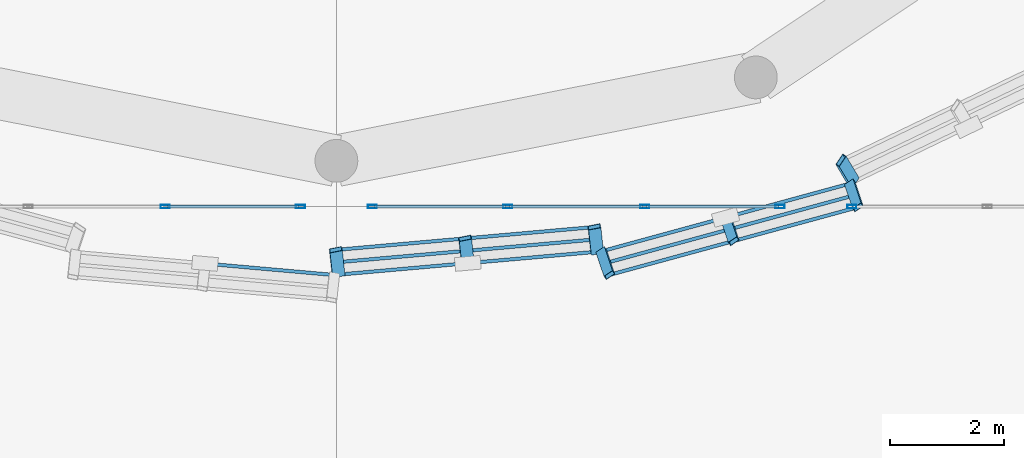
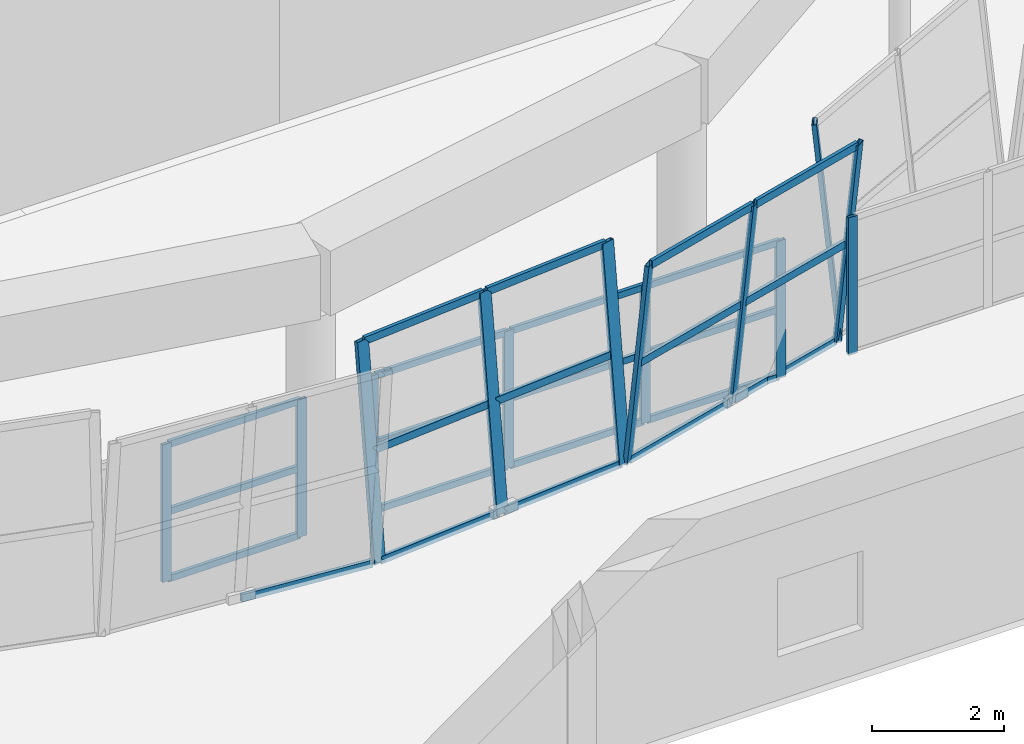
# One storey, part 12 of 40: 39 members, 7 elements without a shape of their own.
"""IFC4 building model written with IfcOpenShell, lengths in metres."""

from ifc_helpers import new_model, si_unit, direction, frame, origin, origin_2d, place, context, subcontext, project, spatial, hollow_rectangle, extrude, material, material_profile, profile_set, type_object, element, aggregate, save


model = new_model("IFC4")

# Units and contexts
model_context = context("Model", 3, precision=1e-05, world=origin(), true_north=direction((0.0, 1.0)))
body_context = subcontext(model_context, "Body", "Model", "MODEL_VIEW")
ifc_project = project(units=[si_unit("LENGTHUNIT", "METRE"), si_unit("AREAUNIT", "SQUARE_METRE"), si_unit("VOLUMEUNIT", "CUBIC_METRE"), si_unit("PLANEANGLEUNIT", "RADIAN"), si_unit("MASSUNIT", "GRAM", prefix="KILO")], contexts=[model_context])

# Site, building, storey
site_placement = place(None, origin())
site = spatial("IfcSite", under=ifc_project, at=site_placement, CompositionType="ELEMENT")
building_placement = place(site_placement, origin())
building = spatial("IfcBuilding", under=site, at=building_placement, Name="Korsvaeld Concert Hall", CompositionType="ELEMENT")
storey_placement = place(building_placement, frame((0.0, 0.0, 13.199951171875)))
storey = spatial("IfcBuildingStorey", under=building, at=storey_placement, Name="L03", CompositionType="ELEMENT", Elevation=13.199951171875)

# Curtain wall, members
ifc_material_1 = material(Name="Anodised bronze and ceramic-fritted safety glass", Category="glass")
curtain_wall_type_1 = type_object("IfcCurtainWallType", Name="CW-TYPE-15", PredefinedType="USERDEFINED", material=ifc_material_1)
curtain_wall_1_placement = place(storey_placement, origin())
curtain_wall_1 = element("IfcCurtainWall", 1, at=curtain_wall_1_placement, inside=storey, type_object=curtain_wall_type_1, Name="Glazed foyer acoustic screen L03-39", ObjectType="CURTAIN WALL", PredefinedType="USERDEFINED")
ifc_material_2 = material(Name="Anodised architectural bronze aluminium", Category="aluminium")
ifc_material_profile_1 = material_profile(ifc_material_2, hollow_rectangle(XDim=0.06005859375, YDim=0.159912109375, WallThickness=0.00390625, at=origin_2d()), Name="CWM 160x60x4")
ifc_profile_set_1 = profile_set([ifc_material_profile_1], Name="Anodised architectural bronze aluminium")
member_type_1 = type_object("IfcMemberType", Name="CWM-ALUM-160x60", PredefinedType="MULLION", material=ifc_profile_set_1)
member_1_placement = place(storey_placement, frame((81.0, 43.199951171875, 0.0), z_axis=(0.0, 0.0, 1.0), x_axis=(0.0, 1.0, 0.0)))
member_1 = element("IfcMember", 2, at=member_1_placement, type_object=member_type_1, Name="CW-15 mullion 3", PredefinedType="MULLION", context=body_context, shape_type="SweptSolid", body=[
    extrude(hollow_rectangle(XDim=0.06005859375, YDim=0.159912109375, WallThickness=0.00390625, at=origin_2d()), origin(), (0.0, 0.0, 1.0), 2.550048828125),
])
member_2_placement = place(storey_placement, frame((83.3701171875, 43.199951171875, 0.0), z_axis=(0.0, 0.0, 1.0), x_axis=(0.0, 1.0, 0.0)))
member_2 = element("IfcMember", 3, at=member_2_placement, type_object=member_type_1, Name="CW-15 mullion 4", PredefinedType="MULLION", context=body_context, shape_type="SweptSolid", body=[
    extrude(hollow_rectangle(XDim=0.06005859375, YDim=0.159912109375, WallThickness=0.00390625, at=origin_2d()), origin(), (0.0, 0.0, 1.0), 2.550048828125),
])

curtain_wall_type_2 = type_object("IfcCurtainWallType", Name="CW-TYPE-08", PredefinedType="USERDEFINED", material=ifc_material_1)
curtain_wall_2_placement = place(storey_placement, origin())
curtain_wall_2 = element("IfcCurtainWall", 4, at=curtain_wall_2_placement, inside=storey, type_object=curtain_wall_type_2, Name="Glazed foyer acoustic screen L03-40", ObjectType="CURTAIN WALL", PredefinedType="USERDEFINED")
member_3_placement = place(storey_placement, frame((84.6298828125, 43.199951171875, 0.0), z_axis=(0.0, 0.0, 1.0), x_axis=(0.0, 1.0, 0.0)))
member_3 = element("IfcMember", 5, at=member_3_placement, type_object=member_type_1, Name="CW-08 mullion 1", PredefinedType="MULLION", context=body_context, shape_type="SweptSolid", body=[
    extrude(hollow_rectangle(XDim=0.06005859375, YDim=0.159912109375, WallThickness=0.00390625, at=origin_2d()), origin(), (0.0, 0.0, 1.0), 2.550048828125),
])
member_4_placement = place(storey_placement, frame((87.0, 43.199951171875, 0.0), z_axis=(0.0, 0.0, 1.0), x_axis=(0.0, 1.0, 0.0)))
member_4 = element("IfcMember", 6, at=member_4_placement, type_object=member_type_1, Name="CW-08 mullion 2", PredefinedType="MULLION", context=body_context, shape_type="SweptSolid", body=[
    extrude(hollow_rectangle(XDim=0.06005859375, YDim=0.159912109375, WallThickness=0.00390625, at=origin_2d()), origin(), (0.0, 0.0, 1.0), 2.550048828125),
])
member_5_placement = place(storey_placement, frame((89.39990234375, 43.199951171875, 0.0), z_axis=(0.0, 0.0, 1.0), x_axis=(0.0, 1.0, 0.0)))
member_5 = element("IfcMember", 7, at=member_5_placement, type_object=member_type_1, Name="CW-08 mullion 3", PredefinedType="MULLION", context=body_context, shape_type="SweptSolid", body=[
    extrude(hollow_rectangle(XDim=0.06005859375, YDim=0.159912109375, WallThickness=0.00390625, at=origin_2d()), origin(), (0.0, 0.0, 1.0), 2.550048828125),
])
member_6_placement = place(storey_placement, frame((91.77001953125, 43.199951171875, 0.0), z_axis=(0.0, 0.0, 1.0), x_axis=(0.0, 1.0, 0.0)))
member_6 = element("IfcMember", 8, at=member_6_placement, type_object=member_type_1, Name="CW-08 mullion 4", PredefinedType="MULLION", context=body_context, shape_type="SweptSolid", body=[
    extrude(hollow_rectangle(XDim=0.06005859375, YDim=0.159912109375, WallThickness=0.00390625, at=origin_2d()), origin(), (0.0, 0.0, 1.0), 2.550048828125),
])

# Curtain wall, member
curtain_wall_type_3 = type_object("IfcCurtainWallType", Name="CW-TYPE-09", PredefinedType="USERDEFINED", material=ifc_material_1)
curtain_wall_3_placement = place(storey_placement, origin())
curtain_wall_3 = element("IfcCurtainWall", 9, at=curtain_wall_3_placement, inside=storey, type_object=curtain_wall_type_3, Name="Glazed foyer acoustic screen L03-41", ObjectType="CURTAIN WALL", PredefinedType="USERDEFINED")
member_7_placement = place(storey_placement, frame((93.030029296875, 43.199951171875, 0.0), z_axis=(0.0, 0.0, 1.0), x_axis=(0.0, 1.0, 0.0)))
member_7 = element("IfcMember", 10, at=member_7_placement, type_object=member_type_1, Name="CW-09 mullion 1", PredefinedType="MULLION", context=body_context, shape_type="SweptSolid", body=[
    extrude(hollow_rectangle(XDim=0.06005859375, YDim=0.159912109375, WallThickness=0.00390625, at=origin_2d()), origin(), (0.0, 0.0, 1.0), 2.550048828125),
])
aggregate(curtain_wall_3, [member_7])

# Curtain wall, members
curtain_wall_type_4 = type_object("IfcCurtainWallType", Name="CW-TYPE-02", PredefinedType="USERDEFINED", material=ifc_material_1)
curtain_wall_4_placement = place(storey_placement, origin())
curtain_wall_4 = element("IfcCurtainWall", 11, at=curtain_wall_4_placement, inside=storey, type_object=curtain_wall_type_4, Name="Crystal curtain-wall facet L03 F26", ObjectType="CURTAIN WALL", PredefinedType="USERDEFINED")
ifc_material_profile_2 = material_profile(ifc_material_2, hollow_rectangle(XDim=0.074951171875, YDim=0.179931640625, WallThickness=0.0048828125, at=origin_2d()), Name="CWM 180x75x5")
ifc_profile_set_2 = profile_set([ifc_material_profile_2], Name="Anodised architectural bronze aluminium")
member_type_2 = type_object("IfcMemberType", Name="CWM-BRONZE-180x75", PredefinedType="MULLION", material=ifc_profile_set_2)
member_8_placement = place(storey_placement, frame((88.640380859375, 42.417236328125, 0.0), z_axis=(0.036197122149, -0.107216000838, 0.993576618843), x_axis=(-0.55573398258, 0.824159803474, 0.10918039633)))
member_8 = element("IfcMember", 12, at=member_8_placement, type_object=member_type_2, Name="CW-CRYS-L03-F26 crystal mullion 1", PredefinedType="MULLION", context=body_context, shape_type="SweptSolid", body=[
    extrude(hollow_rectangle(XDim=0.074951171875, YDim=0.179931640625, WallThickness=0.0048828125, at=origin_2d()), origin(), (0.0, 0.0, 1.0), 3.9052734375),
])
member_9_placement = place(storey_placement, frame((90.817626953125, 43.010498046875, 0.0), z_axis=(0.036259556644, -0.107215758008, 0.993574368523), x_axis=(-0.556164524447, 0.823866797591, 0.109199457752)))
member_9 = element("IfcMember", 13, at=member_9_placement, type_object=member_type_2, Name="CW-CRYS-L03-F26 crystal mullion 2", PredefinedType="MULLION", context=body_context, shape_type="SweptSolid", body=[
    extrude(hollow_rectangle(XDim=0.074951171875, YDim=0.179931640625, WallThickness=0.0048828125, at=origin_2d()), origin(), (0.0, 0.0, 1.0), 3.9052734375),
])
member_10_placement = place(storey_placement, frame((92.9951171875, 43.60400390625, 0.0), z_axis=(0.036196879459, -0.10727779819, 0.993569957242), x_axis=(-0.555586354062, 0.824251855726, 0.109236813907)))
member_10 = element("IfcMember", 14, at=member_10_placement, type_object=member_type_2, Name="CW-CRYS-L03-F26 crystal mullion 3", PredefinedType="MULLION", context=body_context, shape_type="SweptSolid", body=[
    extrude(hollow_rectangle(XDim=0.074951171875, YDim=0.179931640625, WallThickness=0.0048828125, at=origin_2d()), origin(), (0.0, 0.0, 1.0), 3.9052734375),
])

curtain_wall_type_5 = type_object("IfcCurtainWallType", Name="CW-TYPE-01", PredefinedType="USERDEFINED", material=ifc_material_1)
curtain_wall_5_placement = place(storey_placement, origin())
curtain_wall_5 = element("IfcCurtainWall", 15, at=curtain_wall_5_placement, inside=storey, type_object=curtain_wall_type_5, Name="Crystal curtain-wall facet L03 F25", ObjectType="CURTAIN WALL", PredefinedType="USERDEFINED")
ifc_material_profile_3 = material_profile(ifc_material_2, hollow_rectangle(XDim=0.074951171875, YDim=0.219970703125, WallThickness=0.006103515625, at=origin_2d()), Name="CWM 220x75x6")
ifc_profile_set_3 = profile_set([ifc_material_profile_3], Name="Anodised architectural bronze aluminium")
member_type_3 = type_object("IfcMemberType", Name="CWM-BRONZE-220x75", PredefinedType="MULLION", material=ifc_profile_set_3)
member_11_placement = place(storey_placement, frame((84.037353515625, 42.00341796875, 0.0), z_axis=(-0.012315804085, 0.112467672842, 0.993579057516), x_axis=(0.195352853532, -0.974236138984, 0.112699636707)))
member_11 = element("IfcMember", 16, at=member_11_placement, type_object=member_type_3, Name="CW-CRYS-L03-F25 crystal mullion 1", PredefinedType="MULLION", context=body_context, shape_type="SweptSolid", body=[
    extrude(hollow_rectangle(XDim=0.074951171875, YDim=0.219970703125, WallThickness=0.006103515625, at=origin_2d()), origin(), (0.0, 0.0, 1.0), 3.9052734375),
])
member_12_placement = place(storey_placement, frame((86.302001953125, 42.20361328125, 0.0), z_axis=(-0.012315717468, 0.112529398189, 0.993572069679), x_axis=(0.195293528918, -0.974240961692, 0.112760747263)))
member_12 = element("IfcMember", 17, at=member_12_placement, type_object=member_type_3, Name="CW-CRYS-L03-F25 crystal mullion 2", PredefinedType="MULLION", context=body_context, shape_type="SweptSolid", body=[
    extrude(hollow_rectangle(XDim=0.074951171875, YDim=0.219970703125, WallThickness=0.006103515625, at=origin_2d()), origin(), (0.0, 0.0, 1.0), 3.9052734375),
])
member_13_placement = place(storey_placement, frame((88.566650390625, 42.404052734375, 0.0), z_axis=(-0.012315717468, 0.112529398189, 0.993572069679), x_axis=(0.195293528918, -0.974240961692, 0.112760747263)))
member_13 = element("IfcMember", 18, at=member_13_placement, type_object=member_type_3, Name="CW-CRYS-L03-F25 crystal mullion 3", PredefinedType="MULLION", context=body_context, shape_type="SweptSolid", body=[
    extrude(hollow_rectangle(XDim=0.074951171875, YDim=0.219970703125, WallThickness=0.006103515625, at=origin_2d()), origin(), (0.0, 0.0, 1.0), 3.9052734375),
])

# Curtain wall, member
curtain_wall_type_6 = type_object("IfcCurtainWallType", Name="CW-TYPE-03", PredefinedType="USERDEFINED", material=ifc_material_1)
curtain_wall_6_placement = place(storey_placement, origin())
curtain_wall_6 = element("IfcCurtainWall", 19, at=curtain_wall_6_placement, inside=storey, type_object=curtain_wall_type_6, Name="Crystal curtain-wall facet L03 F27", ObjectType="CURTAIN WALL", PredefinedType="USERDEFINED")
member_14_placement = place(storey_placement, frame((93.065185546875, 43.630126953125, 0.0), z_axis=(-0.057890146021, 0.097275450549, 0.993572452172), x_axis=(0.829999508119, -0.548349795161, 0.102045669527)))
member_14 = element("IfcMember", 20, at=member_14_placement, type_object=member_type_3, Name="CW-CRYS-L03-F27 crystal mullion 1", PredefinedType="MULLION", context=body_context, shape_type="SweptSolid", body=[
    extrude(hollow_rectangle(XDim=0.074951171875, YDim=0.219970703125, WallThickness=0.006103515625, at=origin_2d()), origin(), (0.0, 0.0, 1.0), 3.9052734375),
])
aggregate(curtain_wall_6, [member_14])

# Member
ifc_material_profile_4 = material_profile(ifc_material_2, hollow_rectangle(XDim=0.06005859375, YDim=0.1201171875, WallThickness=0.00390625, at=origin_2d()), Name="CWT 120x60x4")
ifc_profile_set_4 = profile_set([ifc_material_profile_4], Name="Anodised architectural bronze aluminium")
member_type_4 = type_object("IfcMemberType", Name="CWT-ALUM-120x60", PredefinedType="USERDEFINED", material=ifc_profile_set_4)
member_15_placement = place(storey_placement, frame((81.030029296875, 43.199951171875, 0.030029296875), z_axis=(1.0, 0.0, 0.0), x_axis=(0.0, 1.0, 0.0)))
member_15 = element("IfcMember", 21, at=member_15_placement, type_object=member_type_4, Name="CW-15 transom 3.1", ObjectType="TRANSOM", PredefinedType="USERDEFINED", context=body_context, shape_type="SweptSolid", body=[
    extrude(hollow_rectangle(XDim=0.06005859375, YDim=0.1201171875, WallThickness=0.00390625, at=origin_2d()), origin(), (0.0, 0.0, 1.0), 2.31005859375),
])

member_16_placement = place(storey_placement, frame((81.030029296875, 43.199951171875, 1.275146484375), z_axis=(1.0, 0.0, 0.0), x_axis=(0.0, 1.0, 0.0)))
member_16 = element("IfcMember", 22, at=member_16_placement, type_object=member_type_4, Name="CW-15 transom 3.2", ObjectType="TRANSOM", PredefinedType="USERDEFINED", context=body_context, shape_type="SweptSolid", body=[
    extrude(hollow_rectangle(XDim=0.06005859375, YDim=0.1201171875, WallThickness=0.00390625, at=origin_2d()), origin(), (0.0, 0.0, 1.0), 2.31005859375),
])

member_17_placement = place(storey_placement, frame((81.030029296875, 43.199951171875, 2.52001953125), z_axis=(1.0, 0.0, 0.0), x_axis=(0.0, 1.0, 0.0)))
member_17 = element("IfcMember", 23, at=member_17_placement, type_object=member_type_4, Name="CW-15 transom 3.3", ObjectType="TRANSOM", PredefinedType="USERDEFINED", context=body_context, shape_type="SweptSolid", body=[
    extrude(hollow_rectangle(XDim=0.06005859375, YDim=0.1201171875, WallThickness=0.00390625, at=origin_2d()), origin(), (0.0, 0.0, 1.0), 2.31005859375),
])

aggregate(curtain_wall_1, [member_1, member_2, member_15, member_16, member_17])

member_18_placement = place(storey_placement, frame((84.659912109375, 43.199951171875, 0.030029296875), z_axis=(1.0, 0.0, 0.0), x_axis=(0.0, 1.0, 0.0)))
member_18 = element("IfcMember", 24, at=member_18_placement, type_object=member_type_4, Name="CW-08 transom 1.1", ObjectType="TRANSOM", PredefinedType="USERDEFINED", context=body_context, shape_type="SweptSolid", body=[
    extrude(hollow_rectangle(XDim=0.06005859375, YDim=0.1201171875, WallThickness=0.00390625, at=origin_2d()), origin(), (0.0, 0.0, 1.0), 2.31005859375),
])

member_19_placement = place(storey_placement, frame((84.659912109375, 43.199951171875, 1.275146484375), z_axis=(1.0, 0.0, 0.0), x_axis=(0.0, 1.0, 0.0)))
member_19 = element("IfcMember", 25, at=member_19_placement, type_object=member_type_4, Name="CW-08 transom 1.2", ObjectType="TRANSOM", PredefinedType="USERDEFINED", context=body_context, shape_type="SweptSolid", body=[
    extrude(hollow_rectangle(XDim=0.06005859375, YDim=0.1201171875, WallThickness=0.00390625, at=origin_2d()), origin(), (0.0, 0.0, 1.0), 2.31005859375),
])

member_20_placement = place(storey_placement, frame((84.659912109375, 43.199951171875, 2.52001953125), z_axis=(1.0, 0.0, 0.0), x_axis=(0.0, 1.0, 0.0)))
member_20 = element("IfcMember", 26, at=member_20_placement, type_object=member_type_4, Name="CW-08 transom 1.3", ObjectType="TRANSOM", PredefinedType="USERDEFINED", context=body_context, shape_type="SweptSolid", body=[
    extrude(hollow_rectangle(XDim=0.06005859375, YDim=0.1201171875, WallThickness=0.00390625, at=origin_2d()), origin(), (0.0, 0.0, 1.0), 2.31005859375),
])

member_21_placement = place(storey_placement, frame((87.030029296875, 43.199951171875, 0.030029296875), z_axis=(1.0, 0.0, 0.0), x_axis=(0.0, 1.0, 0.0)))
member_21 = element("IfcMember", 27, at=member_21_placement, type_object=member_type_4, Name="CW-08 transom 2.1", ObjectType="TRANSOM", PredefinedType="USERDEFINED", context=body_context, shape_type="SweptSolid", body=[
    extrude(hollow_rectangle(XDim=0.06005859375, YDim=0.1201171875, WallThickness=0.00390625, at=origin_2d()), origin(), (0.0, 0.0, 1.0), 2.340087890625),
])

member_22_placement = place(storey_placement, frame((87.030029296875, 43.199951171875, 1.275146484375), z_axis=(1.0, 0.0, 0.0), x_axis=(0.0, 1.0, 0.0)))
member_22 = element("IfcMember", 28, at=member_22_placement, type_object=member_type_4, Name="CW-08 transom 2.2", ObjectType="TRANSOM", PredefinedType="USERDEFINED", context=body_context, shape_type="SweptSolid", body=[
    extrude(hollow_rectangle(XDim=0.06005859375, YDim=0.1201171875, WallThickness=0.00390625, at=origin_2d()), origin(), (0.0, 0.0, 1.0), 2.340087890625),
])

member_23_placement = place(storey_placement, frame((87.030029296875, 43.199951171875, 2.52001953125), z_axis=(1.0, 0.0, 0.0), x_axis=(0.0, 1.0, 0.0)))
member_23 = element("IfcMember", 29, at=member_23_placement, type_object=member_type_4, Name="CW-08 transom 2.3", ObjectType="TRANSOM", PredefinedType="USERDEFINED", context=body_context, shape_type="SweptSolid", body=[
    extrude(hollow_rectangle(XDim=0.06005859375, YDim=0.1201171875, WallThickness=0.00390625, at=origin_2d()), origin(), (0.0, 0.0, 1.0), 2.340087890625),
])

member_24_placement = place(storey_placement, frame((89.429931640625, 43.199951171875, 0.030029296875), z_axis=(1.0, 0.0, 0.0), x_axis=(0.0, 1.0, 0.0)))
member_24 = element("IfcMember", 30, at=member_24_placement, type_object=member_type_4, Name="CW-08 transom 3.1", ObjectType="TRANSOM", PredefinedType="USERDEFINED", context=body_context, shape_type="SweptSolid", body=[
    extrude(hollow_rectangle(XDim=0.06005859375, YDim=0.1201171875, WallThickness=0.00390625, at=origin_2d()), origin(), (0.0, 0.0, 1.0), 2.31005859375),
])

member_25_placement = place(storey_placement, frame((89.429931640625, 43.199951171875, 1.275146484375), z_axis=(1.0, 0.0, 0.0), x_axis=(0.0, 1.0, 0.0)))
member_25 = element("IfcMember", 31, at=member_25_placement, type_object=member_type_4, Name="CW-08 transom 3.2", ObjectType="TRANSOM", PredefinedType="USERDEFINED", context=body_context, shape_type="SweptSolid", body=[
    extrude(hollow_rectangle(XDim=0.06005859375, YDim=0.1201171875, WallThickness=0.00390625, at=origin_2d()), origin(), (0.0, 0.0, 1.0), 2.31005859375),
])

member_26_placement = place(storey_placement, frame((89.429931640625, 43.199951171875, 2.52001953125), z_axis=(1.0, 0.0, 0.0), x_axis=(0.0, 1.0, 0.0)))
member_26 = element("IfcMember", 32, at=member_26_placement, type_object=member_type_4, Name="CW-08 transom 3.3", ObjectType="TRANSOM", PredefinedType="USERDEFINED", context=body_context, shape_type="SweptSolid", body=[
    extrude(hollow_rectangle(XDim=0.06005859375, YDim=0.1201171875, WallThickness=0.00390625, at=origin_2d()), origin(), (0.0, 0.0, 1.0), 2.31005859375),
])

aggregate(curtain_wall_2, [member_3, member_4, member_5, member_6, member_18, member_19, member_20, member_21, member_22, member_23, member_24, member_25, member_26])

# Curtain wall, member
curtain_wall_7_placement = place(storey_placement, origin())
curtain_wall_7 = element("IfcCurtainWall", 33, at=curtain_wall_7_placement, inside=storey, type_object=curtain_wall_type_2, Name="Crystal curtain-wall facet L03 F24", ObjectType="CURTAIN WALL", PredefinedType="USERDEFINED")
ifc_material_profile_5 = material_profile(ifc_material_2, hollow_rectangle(XDim=0.06005859375, YDim=0.139892578125, WallThickness=0.00390625, at=origin_2d()), Name="CWT 140x60x4")
ifc_profile_set_5 = profile_set([ifc_material_profile_5], Name="Anodised architectural bronze aluminium")
member_type_5 = type_object("IfcMemberType", Name="CWT-BRONZE-140x60", PredefinedType="USERDEFINED", material=ifc_profile_set_5)
member_27_placement = place(storey_placement, frame((81.73486328125, 42.197021484375, 0.030029296875), z_axis=(0.996105218313, -0.088172524341, 0.0), x_axis=(0.088172524341, 0.996105218313, 0.0)))
member_27 = element("IfcMember", 34, at=member_27_placement, type_object=member_type_5, Name="CW-CRYS-L03-F24 crystal transom 2.1", ObjectType="TRANSOM", PredefinedType="USERDEFINED", context=body_context, shape_type="SweptSolid", body=[
    extrude(hollow_rectangle(XDim=0.06005859375, YDim=0.139892578125, WallThickness=0.00390625, at=origin_2d()), origin(), (0.0, 0.0, 1.0), 2.198486328125),
])
aggregate(curtain_wall_7, [member_27])

# Member
member_28_placement = place(storey_placement, frame((84.07421875, 42.010009765625, 0.030029296875), z_axis=(0.996106081505, 0.088162772123, 0.0), x_axis=(-0.088162772123, 0.996106081505, 0.0)))
member_28 = element("IfcMember", 35, at=member_28_placement, type_object=member_type_5, Name="CW-CRYS-L03-F25 crystal transom 1.1", ObjectType="TRANSOM", PredefinedType="USERDEFINED", context=body_context, shape_type="SweptSolid", body=[
    extrude(hollow_rectangle(XDim=0.06005859375, YDim=0.139892578125, WallThickness=0.00390625, at=origin_2d()), origin(), (0.0, 0.0, 1.0), 2.19873046875),
])

member_29_placement = place(storey_placement, frame((84.050537109375, 42.226318359375, 1.93994140625), z_axis=(0.996106081505, 0.088162772123, 0.0), x_axis=(-0.088162772123, 0.996106081505, 0.0)))
member_29 = element("IfcMember", 36, at=member_29_placement, type_object=member_type_5, Name="CW-CRYS-L03-F25 crystal transom 1.2", ObjectType="TRANSOM", PredefinedType="USERDEFINED", context=body_context, shape_type="SweptSolid", body=[
    extrude(hollow_rectangle(XDim=0.06005859375, YDim=0.139892578125, WallThickness=0.00390625, at=origin_2d()), origin(), (0.0, 0.0, 1.0), 2.19873046875),
])

member_30_placement = place(storey_placement, frame((84.02685546875, 42.442626953125, 3.85009765625), z_axis=(0.996105218313, 0.088172524341, 0.0), x_axis=(-0.088172524341, 0.996105218313, 0.0)))
member_30 = element("IfcMember", 37, at=member_30_placement, type_object=member_type_5, Name="CW-CRYS-L03-F25 crystal transom 1.3", ObjectType="TRANSOM", PredefinedType="USERDEFINED", context=body_context, shape_type="SweptSolid", body=[
    extrude(hollow_rectangle(XDim=0.06005859375, YDim=0.139892578125, WallThickness=0.00390625, at=origin_2d()), origin(), (0.0, 0.0, 1.0), 2.198486328125),
])

member_31_placement = place(storey_placement, frame((86.339111328125, 42.21044921875, 0.030029296875), z_axis=(0.996105218313, 0.088172524341, 0.0), x_axis=(-0.088172524341, 0.996105218313, 0.0)))
member_31 = element("IfcMember", 38, at=member_31_placement, type_object=member_type_5, Name="CW-CRYS-L03-F25 crystal transom 2.1", ObjectType="TRANSOM", PredefinedType="USERDEFINED", context=body_context, shape_type="SweptSolid", body=[
    extrude(hollow_rectangle(XDim=0.06005859375, YDim=0.139892578125, WallThickness=0.00390625, at=origin_2d()), origin(), (0.0, 0.0, 1.0), 2.198486328125),
])

member_32_placement = place(storey_placement, frame((86.3154296875, 42.4267578125, 1.93994140625), z_axis=(0.996105218313, 0.088172524341, 0.0), x_axis=(-0.088172524341, 0.996105218313, 0.0)))
member_32 = element("IfcMember", 39, at=member_32_placement, type_object=member_type_5, Name="CW-CRYS-L03-F25 crystal transom 2.2", ObjectType="TRANSOM", PredefinedType="USERDEFINED", context=body_context, shape_type="SweptSolid", body=[
    extrude(hollow_rectangle(XDim=0.06005859375, YDim=0.139892578125, WallThickness=0.00390625, at=origin_2d()), origin(), (0.0, 0.0, 1.0), 2.198486328125),
])

member_33_placement = place(storey_placement, frame((86.29150390625, 42.64306640625, 3.85009765625), z_axis=(0.996106081505, 0.088162772123, 0.0), x_axis=(-0.088162772123, 0.996106081505, 0.0)))
member_33 = element("IfcMember", 40, at=member_33_placement, type_object=member_type_5, Name="CW-CRYS-L03-F25 crystal transom 2.3", ObjectType="TRANSOM", PredefinedType="USERDEFINED", context=body_context, shape_type="SweptSolid", body=[
    extrude(hollow_rectangle(XDim=0.06005859375, YDim=0.139892578125, WallThickness=0.00390625, at=origin_2d()), origin(), (0.0, 0.0, 1.0), 2.19873046875),
])

aggregate(curtain_wall_5, [member_11, member_12, member_13, member_28, member_29, member_30, member_31, member_32, member_33])

member_34_placement = place(storey_placement, frame((88.677490234375, 42.423828125, 0.030029296875), z_axis=(0.964812863187, 0.26293751925, 0.0), x_axis=(-0.26293751925, 0.964812863187, 0.0)))
member_34 = element("IfcMember", 41, at=member_34_placement, type_object=member_type_5, Name="CW-CRYS-L03-F26 crystal transom 1.1", ObjectType="TRANSOM", PredefinedType="USERDEFINED", context=body_context, shape_type="SweptSolid", body=[
    extrude(hollow_rectangle(XDim=0.06005859375, YDim=0.139892578125, WallThickness=0.00390625, at=origin_2d()), origin(), (0.0, 0.0, 1.0), 2.181884765625),
])

member_35_placement = place(storey_placement, frame((88.7470703125, 42.2177734375, 1.93994140625), z_axis=(0.964841242841, 0.262833361873, 0.0), x_axis=(-0.262833361873, 0.964841242841, 0.0)))
member_35 = element("IfcMember", 42, at=member_35_placement, type_object=member_type_5, Name="CW-CRYS-L03-F26 crystal transom 1.2", ObjectType="TRANSOM", PredefinedType="USERDEFINED", context=body_context, shape_type="SweptSolid", body=[
    extrude(hollow_rectangle(XDim=0.06005859375, YDim=0.139892578125, WallThickness=0.00390625, at=origin_2d()), origin(), (0.0, 0.0, 1.0), 2.181884765625),
])

member_36_placement = place(storey_placement, frame((88.81689453125, 42.011474609375, 3.85009765625), z_axis=(0.964805126409, 0.262965906641, 0.0), x_axis=(-0.262965906641, 0.964805126409, 0.0)))
member_36 = element("IfcMember", 43, at=member_36_placement, type_object=member_type_5, Name="CW-CRYS-L03-F26 crystal transom 1.3", ObjectType="TRANSOM", PredefinedType="USERDEFINED", context=body_context, shape_type="SweptSolid", body=[
    extrude(hollow_rectangle(XDim=0.06005859375, YDim=0.139892578125, WallThickness=0.00390625, at=origin_2d()), origin(), (0.0, 0.0, 1.0), 2.181884765625),
])

member_37_placement = place(storey_placement, frame((90.85498046875, 43.017333984375, 0.030029296875), z_axis=(0.964833511963, 0.262861739689, 0.0), x_axis=(-0.262861739689, 0.964833511963, 0.0)))
member_37 = element("IfcMember", 44, at=member_37_placement, type_object=member_type_5, Name="CW-CRYS-L03-F26 crystal transom 2.1", ObjectType="TRANSOM", PredefinedType="USERDEFINED", context=body_context, shape_type="SweptSolid", body=[
    extrude(hollow_rectangle(XDim=0.06005859375, YDim=0.139892578125, WallThickness=0.00390625, at=origin_2d()), origin(), (0.0, 0.0, 1.0), 2.181640625),
])

member_38_placement = place(storey_placement, frame((90.924560546875, 42.81103515625, 1.93994140625), z_axis=(0.964805126409, 0.262965906641, 0.0), x_axis=(-0.262965906641, 0.964805126409, 0.0)))
member_38 = element("IfcMember", 45, at=member_38_placement, type_object=member_type_5, Name="CW-CRYS-L03-F26 crystal transom 2.2", ObjectType="TRANSOM", PredefinedType="USERDEFINED", context=body_context, shape_type="SweptSolid", body=[
    extrude(hollow_rectangle(XDim=0.06005859375, YDim=0.139892578125, WallThickness=0.00390625, at=origin_2d()), origin(), (0.0, 0.0, 1.0), 2.181884765625),
])

member_39_placement = place(storey_placement, frame((90.994140625, 42.60498046875, 3.85009765625), z_axis=(0.964841242841, 0.262833361873, 0.0), x_axis=(-0.262833361873, 0.964841242841, 0.0)))
member_39 = element("IfcMember", 46, at=member_39_placement, type_object=member_type_5, Name="CW-CRYS-L03-F26 crystal transom 2.3", ObjectType="TRANSOM", PredefinedType="USERDEFINED", context=body_context, shape_type="SweptSolid", body=[
    extrude(hollow_rectangle(XDim=0.06005859375, YDim=0.139892578125, WallThickness=0.00390625, at=origin_2d()), origin(), (0.0, 0.0, 1.0), 2.181884765625),
])

aggregate(curtain_wall_4, [member_8, member_9, member_10, member_34, member_35, member_36, member_37, member_38, member_39])

save(model, "model.ifc")
